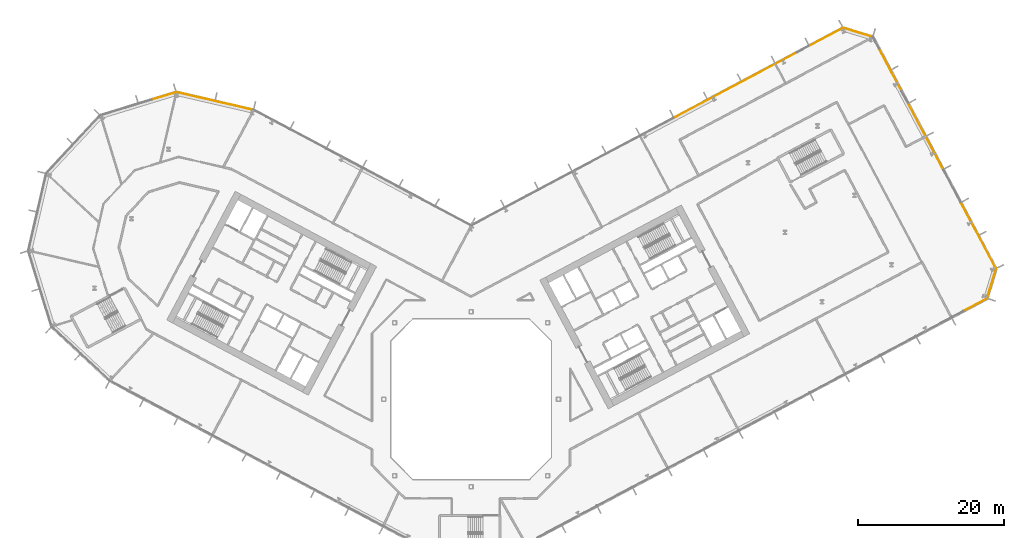
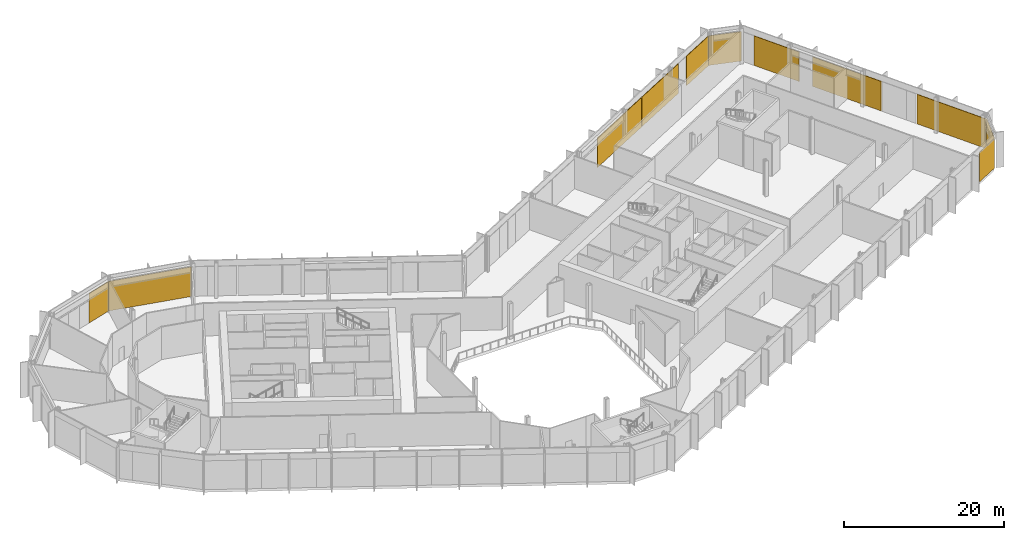
# One storey, part 30 of 31: 11 coverings, 7 elements without a shape of their own.
"""IFC4 building model written with IfcOpenShell, lengths in metres."""

from ifc_helpers import new_model, si_unit, direction, frame, origin, origin_2d, place, context, subcontext, project, spatial, rectangle, extrude, material, layer, layer_set, type_object, element, aggregate, save


model = new_model("IFC4")

# Units and contexts
model_context = context("Model", 3, precision=1e-05, world=origin(), true_north=direction((0.0, 1.0)))
body_context = subcontext(model_context, "Body", "Model", "MODEL_VIEW")
ifc_project = project(units=[si_unit("LENGTHUNIT", "METRE"), si_unit("AREAUNIT", "SQUARE_METRE"), si_unit("VOLUMEUNIT", "CUBIC_METRE"), si_unit("PLANEANGLEUNIT", "RADIAN"), si_unit("MASSUNIT", "GRAM", prefix="KILO")], contexts=[model_context])

# Site, building, storey
site_placement = place(None, origin())
site = spatial("IfcSite", under=ifc_project, at=site_placement, CompositionType="ELEMENT")
building_placement = place(site_placement, origin())
building = spatial("IfcBuilding", under=site, at=building_placement, Name="Cormorant Relay Tower", CompositionType="ELEMENT")
storey_placement = place(building_placement, frame((0.0, 0.0, 50.0)))
storey = spatial("IfcBuildingStorey", under=building, at=storey_placement, Name="L09", CompositionType="ELEMENT", Elevation=50.0)

# Curtain wall, covering
ifc_material_1 = material(Name="Aluminium 6063-T6 anodised bronze", Category="aluminium")
ifc_layer_1 = layer(ifc_material_1, 0.235107421875)
ifc_layer_set_1 = layer_set([ifc_layer_1], Name="CW6 data hall curtain wall with mineral wool panels")
curtain_wall_type = type_object("IfcCurtainWallType", Name="CW6 data hall curtain wall with mineral wool panels", PredefinedType="NOTDEFINED", material=ifc_layer_set_1)
curtain_wall_1_placement = place(storey_placement, origin())
curtain_wall_1 = element("IfcCurtainWall", 1, at=curtain_wall_1_placement, inside=storey, type_object=curtain_wall_type, Name="CW6 curtain wall 2", PredefinedType="NOTDEFINED")
ifc_material_2 = material(Name="Mineral wool cored anodised bronze aluminium cassette panel", Category="aluminium")
ifc_layer_2 = layer(ifc_material_2, 0.074951171875)
ifc_layer_set_2 = layer_set([ifc_layer_2], Name="CW6 mineral wool cassette panel 75")
covering_type = type_object("IfcCoveringType", Name="CW6 mineral wool cassette panel 75", PredefinedType="CLADDING", material=ifc_layer_set_2)
covering_1_placement = place(storey_placement, frame((69.1943359375, 12.96484375, 0.0), z_axis=(0.0, 0.0, 1.0), x_axis=(0.882947592859, 0.469471562786, 0.0)))
covering_1 = element("IfcCovering", 2, at=covering_1_placement, type_object=covering_type, Name="CW6 panel S15", PredefinedType="CLADDING", context=body_context, shape_type="SweptSolid", body=[
    extrude(rectangle(XDim=3.63671875, YDim=0.074951171875, at=origin_2d()), origin(), (0.0, 0.0, 1.0), 4.5),
])
aggregate(curtain_wall_1, [covering_1])

curtain_wall_2_placement = place(storey_placement, origin())
curtain_wall_2 = element("IfcCurtainWall", 3, at=curtain_wall_2_placement, inside=storey, type_object=curtain_wall_type, Name="CW6 curtain wall 3", PredefinedType="NOTDEFINED")
covering_2_placement = place(storey_placement, frame((71.44921875, 15.9052734375, 0.0), z_axis=(0.0, 0.0, 1.0), x_axis=(0.292371704723, 0.956304755963, 0.0)))
covering_2 = element("IfcCovering", 4, at=covering_2_placement, type_object=covering_type, Name="CW6 panel S00", PredefinedType="CLADDING", context=body_context, shape_type="SweptSolid", body=[
    extrude(rectangle(XDim=4.16748046875, YDim=0.074951171875, at=origin_2d()), origin(), (0.0, 0.0, 1.0), 4.5),
])
aggregate(curtain_wall_2, [covering_2])

# Curtain wall, coverings
curtain_wall_3_placement = place(storey_placement, origin())
curtain_wall_3 = element("IfcCurtainWall", 5, at=curtain_wall_3_placement, inside=storey, type_object=curtain_wall_type, Name="CW6 curtain wall 4", PredefinedType="NOTDEFINED")
covering_3_placement = place(storey_placement, frame((69.641357421875, 22.46728515625, 0.0), z_axis=(0.0, 0.0, 1.0), x_axis=(-0.469471562786, 0.882947592859, 0.0)))
covering_3 = element("IfcCovering", 6, at=covering_3_placement, type_object=covering_type, Name="CW6 panel S00", PredefinedType="CLADDING", context=body_context, shape_type="SweptSolid", body=[
    extrude(rectangle(XDim=10.1357421875, YDim=0.074951171875, at=origin_2d()), origin(), (0.0, 0.0, 1.0), 4.5),
])
covering_4_placement = place(storey_placement, frame((62.398193359375, 36.090087890625, 0.0), z_axis=(0.0, 0.0, 1.0), x_axis=(-0.469471562786, 0.882947592859, 0.0)))
covering_4 = element("IfcCovering", 7, at=covering_4_placement, type_object=covering_type, Name="CW6 panel S03", PredefinedType="CLADDING", context=body_context, shape_type="SweptSolid", body=[
    extrude(rectangle(XDim=10.1357421875, YDim=0.074951171875, at=origin_2d()), origin(), (0.0, 0.0, 1.0), 4.5),
])
covering_5_placement = place(storey_placement, frame((57.5517578125, 45.204833984375, 0.0), z_axis=(0.0, 0.0, 1.0), x_axis=(-0.469471562786, 0.882947592859, 0.0)))
covering_5 = element("IfcCovering", 8, at=covering_5_placement, type_object=covering_type, Name="CW6 panel S05", PredefinedType="CLADDING", context=body_context, shape_type="SweptSolid", body=[
    extrude(rectangle(XDim=6.610595703125, YDim=0.074951171875, at=origin_2d()), origin(), (0.0, 0.0, 1.0), 4.5),
])
aggregate(curtain_wall_3, [covering_3, covering_4, covering_5])

# Curtain wall, covering
curtain_wall_4_placement = place(storey_placement, origin())
curtain_wall_4 = element("IfcCurtainWall", 9, at=curtain_wall_4_placement, inside=storey, type_object=curtain_wall_type, Name="CW6 curtain wall 5", PredefinedType="NOTDEFINED")
covering_6_placement = place(storey_placement, frame((53.068115234375, 50.362060546875, 0.0), z_axis=(0.0, 0.0, 1.0), x_axis=(-0.956304755963, 0.292371704723, 0.0)))
covering_6 = element("IfcCovering", 10, at=covering_6_placement, type_object=covering_type, Name="CW6 panel S00", PredefinedType="CLADDING", context=body_context, shape_type="SweptSolid", body=[
    extrude(rectangle(XDim=4.16748046875, YDim=0.074951171875, at=origin_2d()), origin(), (0.0, 0.0, 1.0), 4.5),
])
aggregate(curtain_wall_4, [covering_6])

# Curtain wall, coverings
curtain_wall_5_placement = place(storey_placement, origin())
curtain_wall_5 = element("IfcCurtainWall", 11, at=curtain_wall_5_placement, inside=storey, type_object=curtain_wall_type, Name="CW6 curtain wall 6", PredefinedType="NOTDEFINED")
covering_7_placement = place(storey_placement, frame((48.725830078125, 49.734375, 0.0), z_axis=(0.0, 0.0, 1.0), x_axis=(-0.882947592859, -0.469471562786, 0.0)))
covering_7 = element("IfcCovering", 12, at=covering_7_placement, type_object=covering_type, Name="CW6 panel S00", PredefinedType="CLADDING", context=body_context, shape_type="SweptSolid", body=[
    extrude(rectangle(XDim=5.107666015625, YDim=0.074951171875, at=origin_2d()), origin(), (0.0, 0.0, 1.0), 4.5),
])
covering_8_placement = place(storey_placement, frame((40.9677734375, 45.609375, 0.0), z_axis=(0.0, 0.0, 1.0), x_axis=(-0.882947592859, -0.469471562786, 0.0)))
covering_8 = element("IfcCovering", 13, at=covering_8_placement, type_object=covering_type, Name="CW6 panel S02", PredefinedType="CLADDING", context=body_context, shape_type="SweptSolid", body=[
    extrude(rectangle(XDim=8.565185546875, YDim=0.074951171875, at=origin_2d()), origin(), (0.0, 0.0, 1.0), 4.5),
])
covering_9_placement = place(storey_placement, frame((32.47802734375, 41.09521484375, 0.0), z_axis=(0.0, 0.0, 1.0), x_axis=(-0.882947592859, -0.469471562786, 0.0)))
covering_9 = element("IfcCovering", 14, at=covering_9_placement, type_object=covering_type, Name="CW6 panel S03", PredefinedType="CLADDING", context=body_context, shape_type="SweptSolid", body=[
    extrude(rectangle(XDim=10.365234375, YDim=0.074951171875, at=origin_2d()), origin(), (0.0, 0.0, 1.0), 4.5),
])
aggregate(curtain_wall_5, [covering_7, covering_8, covering_9])

# Curtain wall, covering
curtain_wall_6_placement = place(storey_placement, origin())
curtain_wall_6 = element("IfcCurtainWall", 15, at=curtain_wall_6_placement, inside=storey, type_object=curtain_wall_type, Name="CW6 curtain wall 8", PredefinedType="NOTDEFINED")
covering_10_placement = place(storey_placement, frame((-35.19775390625, 40.935791015625, 0.0), z_axis=(0.0, 0.0, 1.0), x_axis=(-0.974370064785, 0.224951054344, 0.0)))
covering_10 = element("IfcCovering", 16, at=covering_10_placement, type_object=covering_type, Name="CW6 panel S00", PredefinedType="CLADDING", context=body_context, shape_type="SweptSolid", body=[
    extrude(rectangle(XDim=10.79541015625, YDim=0.074951171875, at=origin_2d()), origin(), (0.0, 0.0, 1.0), 4.5),
])
aggregate(curtain_wall_6, [covering_10])

curtain_wall_7_placement = place(storey_placement, origin())
curtain_wall_7 = element("IfcCurtainWall", 17, at=curtain_wall_7_placement, inside=storey, type_object=curtain_wall_type, Name="CW6 curtain wall 9", PredefinedType="NOTDEFINED")
covering_11_placement = place(storey_placement, frame((-42.214599609375, 41.617919921875, 0.0), z_axis=(0.0, 0.0, 1.0), x_axis=(-0.956304755963, -0.292371704723, 0.0)))
covering_11 = element("IfcCovering", 18, at=covering_11_placement, type_object=covering_type, Name="CW6 panel S00", PredefinedType="CLADDING", context=body_context, shape_type="SweptSolid", body=[
    extrude(rectangle(XDim=3.485107421875, YDim=0.074951171875, at=origin_2d()), origin(), (0.0, 0.0, 1.0), 4.5),
])
aggregate(curtain_wall_7, [covering_11])

save(model, "model.ifc")
